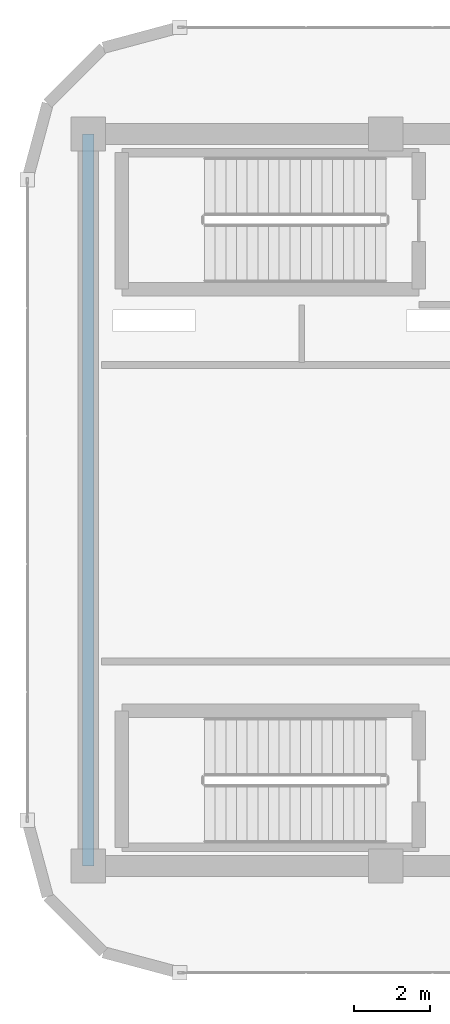
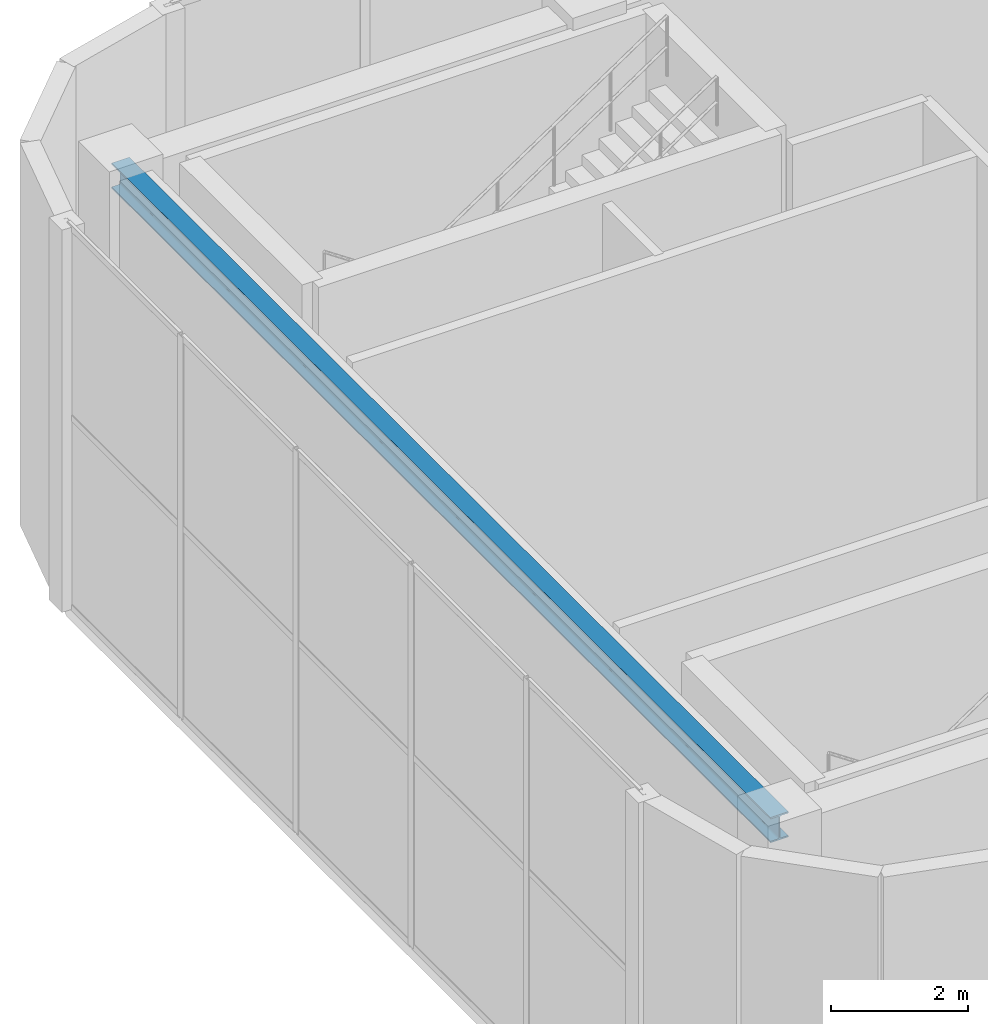
# One storey, part 6 of 24: 1 beam.
"""IFC4 building model written with IfcOpenShell, lengths in metres."""

import ifcopenshell
import ifcopenshell.guid

model = None  # the IFC model being written
_history = None  # IfcOwnerHistory: only IFC2X3 demands one
_inside = {}  # id of a spatial element -> (the spatial element, [elements in it])
_under = {}  # id of a project, library or spatial element -> (it, [spatial elements below it])
_declared = {}  # id of a project -> (the project, [libraries it declares])
_typed = {}  # id of a type object -> (the type object, [elements of that type])
_made_of = {}  # id of a material, layer set ... -> (it, [elements and type objects made of it])


def new_model(schema):
    """Start an empty IFC model of exactly this schema.

    Asked for "IFC4X3", IfcOpenShell would pick the latest addendum, in which some entities
    have other attributes; the version numbers below select the first issue.
    IFC2X3 requires an IfcOwnerHistory on every rooted entity: one is made here for all.
    """
    global model, _history
    if schema == "IFC4X3":
        model = ifcopenshell.file(schema_version=(4, 3, 0, 0))
    else:
        model = ifcopenshell.file(schema=schema)
    _inside.clear()
    _under.clear()
    _declared.clear()
    _typed.clear()
    _made_of.clear()
    _history = None
    if model.schema == "IFC2X3":
        org = make("IfcOrganization", Name="unknown")
        user = make(
            "IfcPersonAndOrganization",
            ThePerson=make("IfcPerson", FamilyName="unknown"),
            TheOrganization=org,
        )
        app = make(
            "IfcApplication",
            ApplicationDeveloper=org,
            Version="unknown",
            ApplicationFullName="unknown",
            ApplicationIdentifier="unknown",
        )
        _history = make(
            "IfcOwnerHistory",
            OwningUser=user,
            OwningApplication=app,
            ChangeAction="ADDED",
            CreationDate=0,
        )
    return model


def make(cls, **values):
    """One entity of the class cls with the attributes given. An attribute that is None is left unset."""
    return model.create_entity(
        cls, **{name: value for name, value in values.items() if value is not None}
    )


def rooted(cls, **values):
    """An entity with a GlobalId (a new one), such as an element, a storey or a relation."""
    return make(cls, GlobalId=ifcopenshell.guid.new(), OwnerHistory=_history, **values)


def si_unit(unit_type, name, prefix=None):
    """IfcSIUnit, for example si_unit("LENGTHUNIT", "METRE", prefix="MILLI")."""
    return make("IfcSIUnit", UnitType=unit_type, Prefix=prefix, Name=name)


def assignment(units):
    """IfcUnitAssignment: the units of a project."""
    return None if units is None else make("IfcUnitAssignment", Units=units)


def point(xyz):
    """IfcCartesianPoint."""
    return None if xyz is None else make("IfcCartesianPoint", Coordinates=xyz)


def direction(xyz):
    """IfcDirection."""
    return None if xyz is None else make("IfcDirection", DirectionRatios=xyz)


def frame(location, z_axis=None, x_axis=None):
    """IfcAxis2Placement3D, a coordinate frame: its origin and axes. An axis left out is left unset."""
    return make(
        "IfcAxis2Placement3D",
        Location=point(location),
        Axis=direction(z_axis),
        RefDirection=direction(x_axis),
    )


def frame_2d(location, x_axis=None):
    """IfcAxis2Placement2D, a coordinate frame in the plane: its origin and x axis."""
    return make(
        "IfcAxis2Placement2D", Location=point(location), RefDirection=direction(x_axis)
    )


def origin():
    """The frame at (0, 0, 0) with its axes left unset."""
    return frame((0.0, 0.0, 0.0))


def origin_2d():
    """The frame at (0, 0) in the plane with its x axis left unset."""
    return frame_2d((0.0, 0.0))


def place(relative_to, where):
    """IfcLocalPlacement: puts the frame where relative to a parent placement (None: the world)."""
    return make(
        "IfcLocalPlacement", PlacementRelTo=relative_to, RelativePlacement=where
    )


def context(
    kind, dimensions, precision=None, world=None, true_north=None, identifier=None
):
    """IfcGeometricRepresentationContext, for example the 3D "Model" context."""
    return make(
        "IfcGeometricRepresentationContext",
        ContextIdentifier=identifier,
        ContextType=kind,
        CoordinateSpaceDimension=dimensions,
        Precision=precision,
        WorldCoordinateSystem=world,
        TrueNorth=true_north,
    )


def subcontext(parent, identifier, kind, view, scale=None):
    """IfcGeometricRepresentationSubContext, for example "Body" below "Model"."""
    return make(
        "IfcGeometricRepresentationSubContext",
        ContextIdentifier=identifier,
        ContextType=kind,
        ParentContext=parent,
        TargetScale=scale,
        TargetView=view,
    )


def project(units=None, contexts=None):
    """IfcProject with its units and contexts."""
    return rooted(
        "IfcProject",
        Name="project",
        RepresentationContexts=contexts,
        UnitsInContext=assignment(units),
    )


def spatial(cls, under=None, at=None, **own):
    """A site, building, storey or space (cls), placed at a placement, below another one or the project."""
    s = rooted(cls, ObjectPlacement=at, **own)
    if under is not None:
        _under.setdefault(under.id(), (under, []))[1].append(s)
    return s


def profile(cls, at=None, kind="AREA", **sizes):
    """A parametric profile (cls). Its sizes go by their IFC names, for example OverallWidth=200.0."""
    return make(cls, ProfileType=kind, Position=at, **sizes)


def i_section(**sizes):
    """IfcIShapeProfileDef."""
    return profile("IfcIShapeProfileDef", **sizes)


def extrude(swept, where, along, depth):
    """IfcExtrudedAreaSolid: the profile swept, set in the frame where, extruded along a direction by depth."""
    return make(
        "IfcExtrudedAreaSolid",
        SweptArea=swept,
        Position=where,
        ExtrudedDirection=direction(along),
        Depth=depth,
    )


def shape(context_of_items, identifier, shape_type, items):
    """IfcShapeRepresentation: the items that make up one representation, for example the "Body"."""
    return make(
        "IfcShapeRepresentation",
        ContextOfItems=context_of_items,
        RepresentationIdentifier=identifier,
        RepresentationType=shape_type,
        Items=items,
    )


def material(Name=None, Category=None):
    """IfcMaterial."""
    return make("IfcMaterial", Name=Name, Category=Category)


def material_profile(
    of_material, cross_section, Name=None, Category=None, Priority=None
):
    """IfcMaterialProfile: a cross section and its material."""
    return make(
        "IfcMaterialProfile",
        Name=Name,
        Material=of_material,
        Profile=cross_section,
        Priority=Priority,
        Category=Category,
    )


def profile_set(profiles, Name=None, composite=None):
    """IfcMaterialProfileSet."""
    return make(
        "IfcMaterialProfileSet",
        Name=Name,
        MaterialProfiles=profiles,
        CompositeProfile=composite,
    )


def made_of(thing, what):
    """Note that an element or type object is made of a material, layer set ...; save() writes the relation."""
    if what is not None:
        _made_of.setdefault(what.id(), (what, []))[1].append(thing)
    return thing


def type_object(cls, material=None, **own):
    """A type object (cls), such as IfcWallType, which elements share."""
    return made_of(rooted(cls, **own), material)


def element(
    cls,
    number,
    at=None,
    inside=None,
    cuts=None,
    type_object=None,
    material=None,
    context=None,
    identifier="Body",
    shape_type=None,
    held_by="IfcProductDefinitionShape",
    body=None,
    shapes=None,
    **own,
):
    """One element of the class cls, such as IfcWall. Its Tag is "e" and its number.

    at: its placement. inside: the storey or other place that contains it. cuts: it is an
    opening in that element (IfcRelVoidsElement). A single representation is given by context,
    identifier, shape_type and body (its items); several are given by shapes. held_by: the class
    of the entity that holds the representations. save() writes the other relations.
    """
    e = rooted(cls, Tag="e%d" % number, ObjectPlacement=at, **own)
    if body is not None:
        shapes = [shape(context, identifier, shape_type, body)]
    if shapes is not None:
        e.Representation = make(held_by, Representations=shapes)
    if inside is not None:
        _inside.setdefault(inside.id(), (inside, []))[1].append(e)
    if cuts is not None:
        rooted(
            "IfcRelVoidsElement", RelatingBuildingElement=cuts, RelatedOpeningElement=e
        )
    if type_object is not None:
        _typed.setdefault(type_object.id(), (type_object, []))[1].append(e)
    return made_of(e, material)


def aggregate(whole, parts):
    """IfcRelAggregates: a whole, such as a stair, and the parts it consists of."""
    return rooted("IfcRelAggregates", RelatingObject=whole, RelatedObjects=parts)


def save(model, path):
    """Write the relations noted so far, then the file.

    IfcRelAggregates (storeys below a building ...), IfcRelContainedInSpatialStructure (elements
    in a storey), IfcRelDefinesByType, IfcRelAssociatesMaterial and IfcRelDeclares: one each for
    every whole, place, type object, material and project.
    """
    for whole, parts in _under.values():
        aggregate(whole, parts)
    for where, things in _inside.values():
        rooted(
            "IfcRelContainedInSpatialStructure",
            RelatedElements=things,
            RelatingStructure=where,
        )
    for kind, things in _typed.values():
        rooted("IfcRelDefinesByType", RelatedObjects=things, RelatingType=kind)
    for what, things in _made_of.values():
        rooted("IfcRelAssociatesMaterial", RelatedObjects=things, RelatingMaterial=what)
    for by, libraries in _declared.values():
        rooted("IfcRelDeclares", RelatingContext=by, RelatedDefinitions=libraries)
    model.write(path)


model = new_model("IFC4")

# Units and contexts
model_context = context("Model", 3, precision=1e-05, world=origin(), true_north=direction((0.0, 1.0)))
body_context = subcontext(model_context, "Body", "Model", "MODEL_VIEW")
ifc_project = project(units=[si_unit("LENGTHUNIT", "METRE"), si_unit("AREAUNIT", "SQUARE_METRE"), si_unit("VOLUMEUNIT", "CUBIC_METRE"), si_unit("PLANEANGLEUNIT", "RADIAN"), si_unit("MASSUNIT", "GRAM", prefix="KILO")], contexts=[model_context])

# Site, building, storey
site_placement = place(None, origin())
site = spatial("IfcSite", under=ifc_project, at=site_placement, CompositionType="ELEMENT")
building_placement = place(site_placement, origin())
building = spatial("IfcBuilding", under=site, at=building_placement, Name="An Khanh Terracotta Commons", CompositionType="ELEMENT")
storey_placement = place(building_placement, frame((0.0, 0.0, 315.199951171875)))
storey = spatial("IfcBuildingStorey", under=building, at=storey_placement, Name="L80 Crown Cooling Plant", CompositionType="ELEMENT", Elevation=315.199951171875)

# Beam
ifc_material = material(Name="Steel S355J2", Category="steel")
ifc_material_profile = material_profile(ifc_material, i_section(OverallWidth=0.300048828125, OverallDepth=0.449951171875, WebThickness=0.013916015625, FlangeThickness=0.02587890625, FilletRadius=0.027099609375, at=origin_2d()), Name="HEB450")
ifc_profile_set = profile_set([ifc_material_profile], Name="Steel S355J2")
beam_type = type_object("IfcBeamType", Name="BM-HEB450", PredefinedType="BEAM", material=ifc_profile_set)
beam_placement = place(storey_placement, frame((21.60009765625, 14.39990234375, 6.35498046875), z_axis=(0.0, 1.0, 0.0), x_axis=(-1.0, 0.0, 0.0)))
element("IfcBeam", 1, at=beam_placement, inside=storey, type_object=beam_type, Name="L80 Crown Cooling Plant Core West Coupling Girder", PredefinedType="BEAM", context=body_context, shape_type="SweptSolid", body=[
    extrude(i_section(OverallWidth=0.300048828125, OverallDepth=0.449951171875, WebThickness=0.013916015625, FlangeThickness=0.02587890625, FilletRadius=0.027099609375, at=origin_2d()), origin(), (0.0, 0.0, 1.0), 19.2001953125),
])

save(model, "model.ifc")
